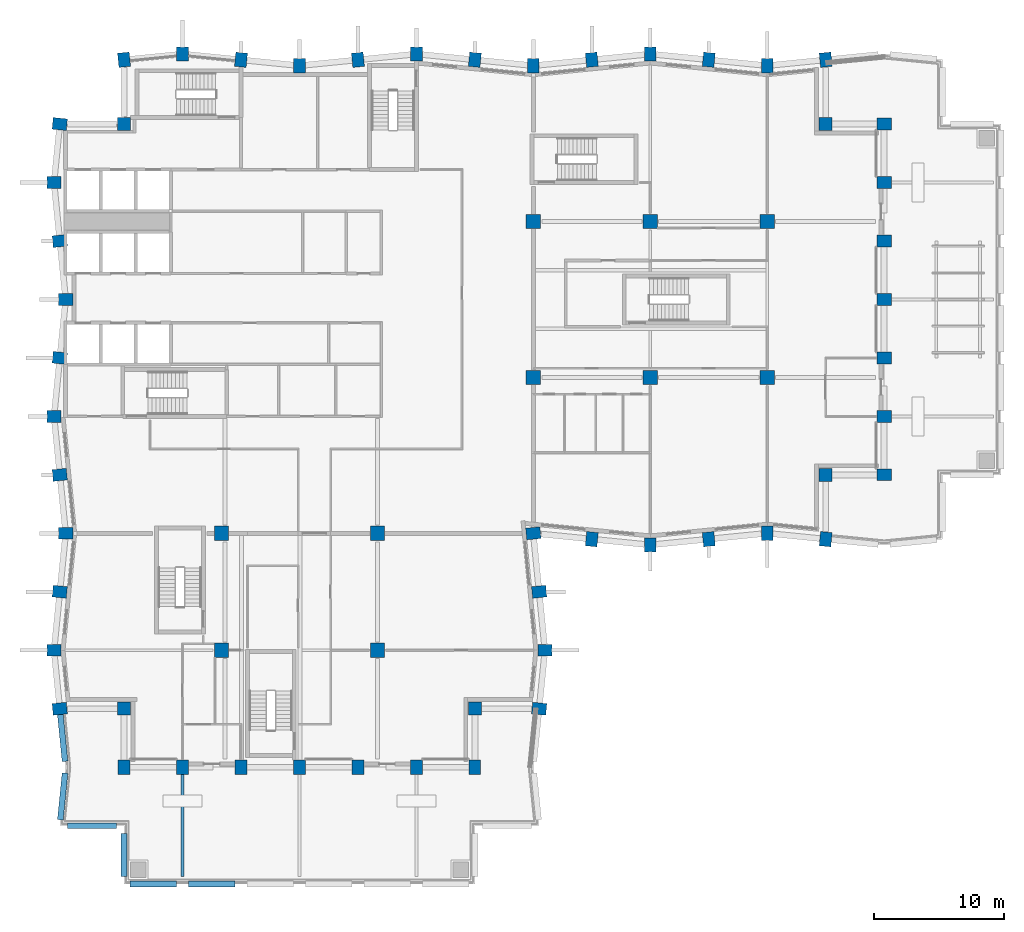
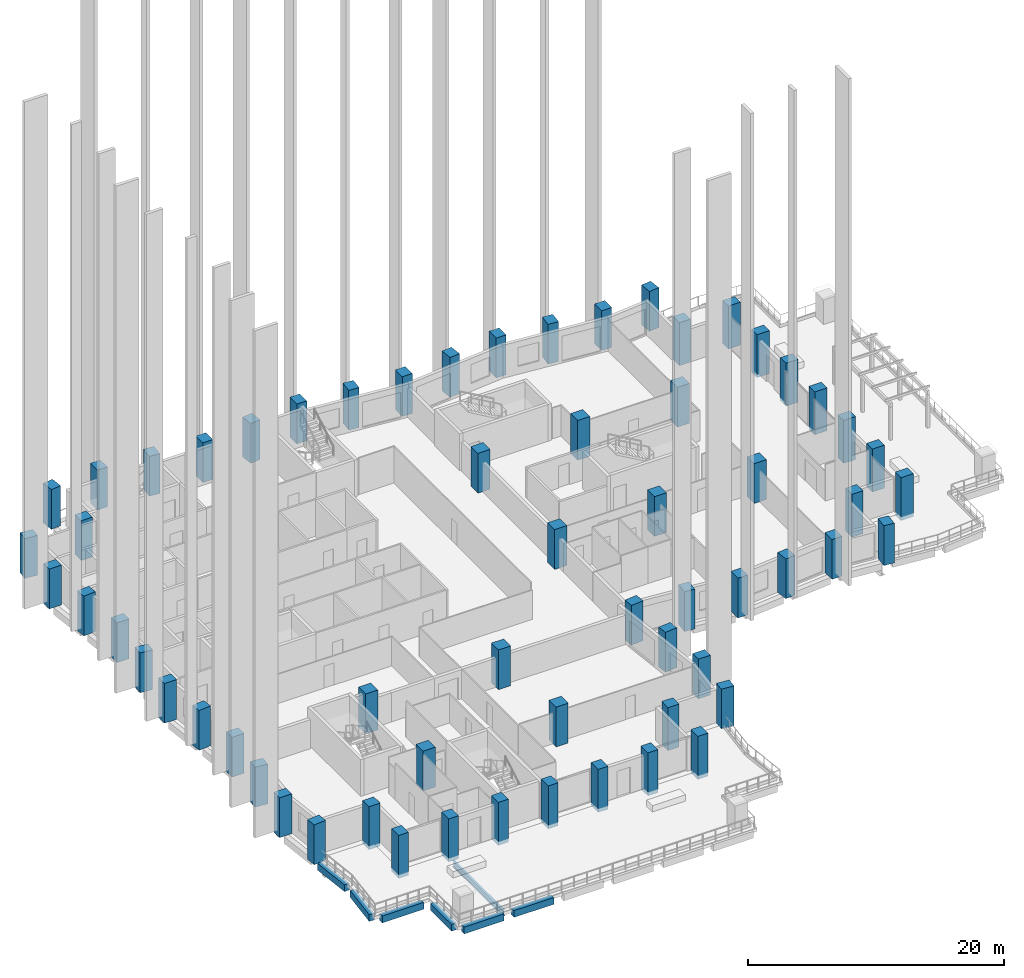
# One storey, part 1 of 18: 62 columns, 7 beams.
"""IFC4 building model written with IfcOpenShell, lengths in metres."""

import ifcopenshell
import ifcopenshell.guid

model = None  # the IFC model being written
_history = None  # IfcOwnerHistory: only IFC2X3 demands one
_inside = {}  # id of a spatial element -> (the spatial element, [elements in it])
_under = {}  # id of a project, library or spatial element -> (it, [spatial elements below it])
_declared = {}  # id of a project -> (the project, [libraries it declares])
_typed = {}  # id of a type object -> (the type object, [elements of that type])
_made_of = {}  # id of a material, layer set ... -> (it, [elements and type objects made of it])


def new_model(schema):
    """Start an empty IFC model of exactly this schema.

    Asked for "IFC4X3", IfcOpenShell would pick the latest addendum, in which some entities
    have other attributes; the version numbers below select the first issue.
    IFC2X3 requires an IfcOwnerHistory on every rooted entity: one is made here for all.
    """
    global model, _history
    if schema == "IFC4X3":
        model = ifcopenshell.file(schema_version=(4, 3, 0, 0))
    else:
        model = ifcopenshell.file(schema=schema)
    _inside.clear()
    _under.clear()
    _declared.clear()
    _typed.clear()
    _made_of.clear()
    _history = None
    if model.schema == "IFC2X3":
        org = make("IfcOrganization", Name="unknown")
        user = make(
            "IfcPersonAndOrganization",
            ThePerson=make("IfcPerson", FamilyName="unknown"),
            TheOrganization=org,
        )
        app = make(
            "IfcApplication",
            ApplicationDeveloper=org,
            Version="unknown",
            ApplicationFullName="unknown",
            ApplicationIdentifier="unknown",
        )
        _history = make(
            "IfcOwnerHistory",
            OwningUser=user,
            OwningApplication=app,
            ChangeAction="ADDED",
            CreationDate=0,
        )
    return model


def make(cls, **values):
    """One entity of the class cls with the attributes given. An attribute that is None is left unset."""
    return model.create_entity(
        cls, **{name: value for name, value in values.items() if value is not None}
    )


def rooted(cls, **values):
    """An entity with a GlobalId (a new one), such as an element, a storey or a relation."""
    return make(cls, GlobalId=ifcopenshell.guid.new(), OwnerHistory=_history, **values)


def si_unit(unit_type, name, prefix=None):
    """IfcSIUnit, for example si_unit("LENGTHUNIT", "METRE", prefix="MILLI")."""
    return make("IfcSIUnit", UnitType=unit_type, Prefix=prefix, Name=name)


def assignment(units):
    """IfcUnitAssignment: the units of a project."""
    return None if units is None else make("IfcUnitAssignment", Units=units)


def point(xyz):
    """IfcCartesianPoint."""
    return None if xyz is None else make("IfcCartesianPoint", Coordinates=xyz)


def direction(xyz):
    """IfcDirection."""
    return None if xyz is None else make("IfcDirection", DirectionRatios=xyz)


def frame(location, z_axis=None, x_axis=None):
    """IfcAxis2Placement3D, a coordinate frame: its origin and axes. An axis left out is left unset."""
    return make(
        "IfcAxis2Placement3D",
        Location=point(location),
        Axis=direction(z_axis),
        RefDirection=direction(x_axis),
    )


def frame_2d(location, x_axis=None):
    """IfcAxis2Placement2D, a coordinate frame in the plane: its origin and x axis."""
    return make(
        "IfcAxis2Placement2D", Location=point(location), RefDirection=direction(x_axis)
    )


def origin():
    """The frame at (0, 0, 0) with its axes left unset."""
    return frame((0.0, 0.0, 0.0))


def origin_2d():
    """The frame at (0, 0) in the plane with its x axis left unset."""
    return frame_2d((0.0, 0.0))


def place(relative_to, where):
    """IfcLocalPlacement: puts the frame where relative to a parent placement (None: the world)."""
    return make(
        "IfcLocalPlacement", PlacementRelTo=relative_to, RelativePlacement=where
    )


def context(
    kind, dimensions, precision=None, world=None, true_north=None, identifier=None
):
    """IfcGeometricRepresentationContext, for example the 3D "Model" context."""
    return make(
        "IfcGeometricRepresentationContext",
        ContextIdentifier=identifier,
        ContextType=kind,
        CoordinateSpaceDimension=dimensions,
        Precision=precision,
        WorldCoordinateSystem=world,
        TrueNorth=true_north,
    )


def subcontext(parent, identifier, kind, view, scale=None):
    """IfcGeometricRepresentationSubContext, for example "Body" below "Model"."""
    return make(
        "IfcGeometricRepresentationSubContext",
        ContextIdentifier=identifier,
        ContextType=kind,
        ParentContext=parent,
        TargetScale=scale,
        TargetView=view,
    )


def project(units=None, contexts=None):
    """IfcProject with its units and contexts."""
    return rooted(
        "IfcProject",
        Name="project",
        RepresentationContexts=contexts,
        UnitsInContext=assignment(units),
    )


def spatial(cls, under=None, at=None, **own):
    """A site, building, storey or space (cls), placed at a placement, below another one or the project."""
    s = rooted(cls, ObjectPlacement=at, **own)
    if under is not None:
        _under.setdefault(under.id(), (under, []))[1].append(s)
    return s


def profile(cls, at=None, kind="AREA", **sizes):
    """A parametric profile (cls). Its sizes go by their IFC names, for example OverallWidth=200.0."""
    return make(cls, ProfileType=kind, Position=at, **sizes)


def rectangle(**sizes):
    """IfcRectangleProfileDef."""
    return profile("IfcRectangleProfileDef", **sizes)


def i_section(**sizes):
    """IfcIShapeProfileDef."""
    return profile("IfcIShapeProfileDef", **sizes)


def extrude(swept, where, along, depth):
    """IfcExtrudedAreaSolid: the profile swept, set in the frame where, extruded along a direction by depth."""
    return make(
        "IfcExtrudedAreaSolid",
        SweptArea=swept,
        Position=where,
        ExtrudedDirection=direction(along),
        Depth=depth,
    )


def shape(context_of_items, identifier, shape_type, items):
    """IfcShapeRepresentation: the items that make up one representation, for example the "Body"."""
    return make(
        "IfcShapeRepresentation",
        ContextOfItems=context_of_items,
        RepresentationIdentifier=identifier,
        RepresentationType=shape_type,
        Items=items,
    )


def material(Name=None, Category=None):
    """IfcMaterial."""
    return make("IfcMaterial", Name=Name, Category=Category)


def material_profile(
    of_material, cross_section, Name=None, Category=None, Priority=None
):
    """IfcMaterialProfile: a cross section and its material."""
    return make(
        "IfcMaterialProfile",
        Name=Name,
        Material=of_material,
        Profile=cross_section,
        Priority=Priority,
        Category=Category,
    )


def profile_set(profiles, Name=None, composite=None):
    """IfcMaterialProfileSet."""
    return make(
        "IfcMaterialProfileSet",
        Name=Name,
        MaterialProfiles=profiles,
        CompositeProfile=composite,
    )


def made_of(thing, what):
    """Note that an element or type object is made of a material, layer set ...; save() writes the relation."""
    if what is not None:
        _made_of.setdefault(what.id(), (what, []))[1].append(thing)
    return thing


def type_object(cls, material=None, **own):
    """A type object (cls), such as IfcWallType, which elements share."""
    return made_of(rooted(cls, **own), material)


def element(
    cls,
    number,
    at=None,
    inside=None,
    cuts=None,
    type_object=None,
    material=None,
    context=None,
    identifier="Body",
    shape_type=None,
    held_by="IfcProductDefinitionShape",
    body=None,
    shapes=None,
    **own,
):
    """One element of the class cls, such as IfcWall. Its Tag is "e" and its number.

    at: its placement. inside: the storey or other place that contains it. cuts: it is an
    opening in that element (IfcRelVoidsElement). A single representation is given by context,
    identifier, shape_type and body (its items); several are given by shapes. held_by: the class
    of the entity that holds the representations. save() writes the other relations.
    """
    e = rooted(cls, Tag="e%d" % number, ObjectPlacement=at, **own)
    if body is not None:
        shapes = [shape(context, identifier, shape_type, body)]
    if shapes is not None:
        e.Representation = make(held_by, Representations=shapes)
    if inside is not None:
        _inside.setdefault(inside.id(), (inside, []))[1].append(e)
    if cuts is not None:
        rooted(
            "IfcRelVoidsElement", RelatingBuildingElement=cuts, RelatedOpeningElement=e
        )
    if type_object is not None:
        _typed.setdefault(type_object.id(), (type_object, []))[1].append(e)
    return made_of(e, material)


def aggregate(whole, parts):
    """IfcRelAggregates: a whole, such as a stair, and the parts it consists of."""
    return rooted("IfcRelAggregates", RelatingObject=whole, RelatedObjects=parts)


def save(model, path):
    """Write the relations noted so far, then the file.

    IfcRelAggregates (storeys below a building ...), IfcRelContainedInSpatialStructure (elements
    in a storey), IfcRelDefinesByType, IfcRelAssociatesMaterial and IfcRelDeclares: one each for
    every whole, place, type object, material and project.
    """
    for whole, parts in _under.values():
        aggregate(whole, parts)
    for where, things in _inside.values():
        rooted(
            "IfcRelContainedInSpatialStructure",
            RelatedElements=things,
            RelatingStructure=where,
        )
    for kind, things in _typed.values():
        rooted("IfcRelDefinesByType", RelatedObjects=things, RelatingType=kind)
    for what, things in _made_of.values():
        rooted("IfcRelAssociatesMaterial", RelatedObjects=things, RelatingMaterial=what)
    for by, libraries in _declared.values():
        rooted("IfcRelDeclares", RelatingContext=by, RelatedDefinitions=libraries)
    model.write(path)


model = new_model("IFC4")

# Units and contexts
model_context = context("Model", 3, precision=1e-05, world=origin(), true_north=direction((0.0, 1.0)))
body_context = subcontext(model_context, "Body", "Model", "MODEL_VIEW")
ifc_project = project(units=[si_unit("LENGTHUNIT", "METRE"), si_unit("AREAUNIT", "SQUARE_METRE"), si_unit("VOLUMEUNIT", "CUBIC_METRE"), si_unit("PLANEANGLEUNIT", "RADIAN"), si_unit("MASSUNIT", "GRAM", prefix="KILO")], contexts=[model_context])

# Site, building, storey
site_placement = place(None, origin())
site = spatial("IfcSite", under=ifc_project, at=site_placement, CompositionType="ELEMENT")
building_placement = place(site_placement, origin())
building = spatial("IfcBuilding", under=site, at=building_placement, Name="Brondeck Convention Tower", CompositionType="ELEMENT")
storey_placement = place(building_placement, frame((0.0, 0.0, 143.39990234375)))
storey = spatial("IfcBuildingStorey", under=building, at=storey_placement, Name="L34", CompositionType="ELEMENT", Elevation=143.39990234375)

# Columns
ifc_material_1 = material(Name="Concrete C70/85", Category="concrete")
ifc_material_profile_1 = material_profile(ifc_material_1, rectangle(XDim=1.0, YDim=1.0, at=origin_2d()), Name="Corner column 1000x1000 Concrete C70/85")
ifc_profile_set_1 = profile_set([ifc_material_profile_1], Name="Concrete C70/85")
column_type_1 = type_object("IfcColumnType", Name="Corner column 1000x1000 Concrete C70/85", PredefinedType="COLUMN", material=ifc_profile_set_1)
for number, where, z_axis, x_axis, name in (
    (1, (4.5, 13.5, -0.2998046875), (0.0, 0.0, 1.0), (1.0, 0.0, 0.0), "STR-COL-L34-NC-SWB9"),
    (2, (31.5, 13.5, -0.2998046875), (0.0, 0.0, 1.0), (1.0, 0.0, 0.0), "STR-COL-L34-NC-SEB9"),
    (3, (58.5, 31.5, -0.2998046875), (0.0, 0.0, 1.0), (1.0, 0.0, 0.0), "STR-COL-L34-NC-SEA63"),
    (4, (58.5, 58.5, -0.2998046875), (0.0, 0.0, 1.0), (1.0, 0.0, 0.0), "STR-COL-L34-NC-NEA63"),
):
    element("IfcColumn", number, at=place(storey_placement, frame(where, z_axis=z_axis, x_axis=x_axis)), inside=storey, type_object=column_type_1, Name=name, PredefinedType="COLUMN", context=body_context, shape_type="SweptSolid", body=[
        extrude(rectangle(XDim=1.0, YDim=1.0, at=origin_2d()), origin(), (0.0, 0.0, 1.0), 4.099853515625),
    ])
column_placement = place(storey_placement, frame((4.5, 58.5, 0.0), z_axis=(0.0, 0.0, 1.0), x_axis=(1.0, 0.0, 0.0)))
element("IfcColumn", 5, at=column_placement, inside=storey, type_object=column_type_1, Name="STR-COL-L34-NC-NW", PredefinedType="COLUMN", context=body_context, shape_type="SweptSolid", body=[
    extrude(rectangle(XDim=1.0, YDim=1.0, at=origin_2d()), origin(), (0.0, 0.0, 1.0), 3.800048828125),
])
ifc_material_profile_2 = material_profile(ifc_material_1, rectangle(XDim=1.10009765625, YDim=1.10009765625, at=origin_2d()), Name="Interior column 1100x1100 Concrete C70/85")
ifc_profile_set_2 = profile_set([ifc_material_profile_2], Name="Concrete C70/85")
column_type_2 = type_object("IfcColumnType", Name="Interior column 1100x1100 Concrete C70/85", PredefinedType="COLUMN", material=ifc_profile_set_2)
for number, where, z_axis, x_axis, name in (
    (6, (12.0, 18.0, 0.0), (0.0, 0.0, 1.0), (1.0, 0.0, 0.0), "STR-COL-L34-IC-02"),
    (7, (12.0, 27.0, 0.0), (0.0, 0.0, 1.0), (1.0, 0.0, 0.0), "STR-COL-L34-IC-03"),
    (8, (24.0, 18.0, 0.0), (0.0, 0.0, 1.0), (1.0, 0.0, 0.0), "STR-COL-L34-IC-05"),
    (9, (24.0, 27.0, 0.0), (0.0, 0.0, 1.0), (1.0, 0.0, 0.0), "STR-COL-L34-IC-06"),
    (10, (36.0, 39.0, 0.0), (0.0, 0.0, 1.0), (1.0, 0.0, 0.0), "STR-COL-L34-IC-07"),
    (11, (36.0, 51.0, 0.0), (0.0, 0.0, 1.0), (1.0, 0.0, 0.0), "STR-COL-L34-IC-08"),
    (12, (45.0, 39.0, 0.0), (0.0, 0.0, 1.0), (1.0, 0.0, 0.0), "STR-COL-L34-IC-09"),
    (13, (45.0, 51.0, 0.0), (0.0, 0.0, 1.0), (1.0, 0.0, 0.0), "STR-COL-L34-IC-10"),
    (14, (54.0, 39.0, 0.0), (0.0, 0.0, 1.0), (1.0, 0.0, 0.0), "STR-COL-L34-IC-11"),
    (15, (54.0, 51.0, 0.0), (0.0, 0.0, 1.0), (1.0, 0.0, 0.0), "STR-COL-L34-IC-12"),
):
    element("IfcColumn", number, at=place(storey_placement, frame(where, z_axis=z_axis, x_axis=x_axis)), inside=storey, type_object=column_type_2, Name=name, PredefinedType="COLUMN", context=body_context, shape_type="SweptSolid", body=[
        extrude(rectangle(XDim=1.10009765625, YDim=1.10009765625, at=origin_2d()), origin(), (0.0, 0.0, 1.0), 3.800048828125),
    ])
ifc_material_profile_3 = material_profile(ifc_material_1, rectangle(XDim=0.89990234375, YDim=1.10009765625, at=origin_2d()), Name="Perimeter pier 900x1100 Concrete C70/85")
ifc_profile_set_3 = profile_set([ifc_material_profile_3], Name="Concrete C70/85")
column_type_3 = type_object("IfcColumnType", Name="Perimeter pier 900x1100 Concrete C70/85", PredefinedType="COLUMN", material=ifc_profile_set_3)
for number, where, z_axis, x_axis, name in (
    (16, (4.5, 9.0, -0.2998046875), (0.0, 0.0, 1.0), (1.0, 0.0, 0.0), "STR-COL-L34-PC-B-S9-01"),
    (17, (9.0, 9.0, -0.2998046875), (0.0, 0.0, 1.0), (1.0, 0.0, 0.0), "STR-COL-L34-PC-B-S9-02"),
    (18, (13.5, 9.0, -0.2998046875), (0.0, 0.0, 1.0), (1.0, 0.0, 0.0), "STR-COL-L34-PC-B-S9-03"),
    (19, (18.0, 9.0, -0.2998046875), (0.0, 0.0, 1.0), (1.0, 0.0, 0.0), "STR-COL-L34-PC-B-S9-04"),
    (20, (22.5, 9.0, -0.2998046875), (0.0, 0.0, 1.0), (1.0, 0.0, 0.0), "STR-COL-L34-PC-B-S9-05"),
    (21, (27.0, 9.0, -0.2998046875), (0.0, 0.0, 1.0), (1.0, 0.0, 0.0), "STR-COL-L34-PC-B-S9-06"),
    (22, (31.5, 9.0, -0.2998046875), (0.0, 0.0, 1.0), (1.0, 0.0, 0.0), "STR-COL-L34-PC-B-S9-07"),
):
    element("IfcColumn", number, at=place(storey_placement, frame(where, z_axis=z_axis, x_axis=x_axis)), inside=storey, type_object=column_type_3, Name=name, PredefinedType="COLUMN", context=body_context, shape_type="SweptSolid", body=[
        extrude(rectangle(XDim=0.89990234375, YDim=1.10009765625, at=origin_2d()), origin(), (0.0, 0.0, 1.0), 4.099853515625),
    ])
for number, where, z_axis, x_axis, name in (
    (23, (36.449951171875, 13.5, 0.0), (0.0, 0.0, 1.0), (0.0995038382, 0.995037178292, 0.0), "STR-COL-L34-PC-B-E-03"),
    (24, (36.89990234375, 18.0, 0.0), (0.0, 0.0, 1.0), (0.0, 1.0, 0.0), "STR-COL-L34-PC-B-E-02"),
    (25, (36.449951171875, 22.5, 0.0), (0.0, 0.0, 1.0), (-0.0995038382, 0.995037178292, 0.0), "STR-COL-L34-PC-B-E-01"),
    (26, (36.0, 27.0, 0.0), (0.0, 0.0, 1.0), (-0.0995038382, 0.995037178292, 0.0), "STR-COL-L34-PC-B-E-00"),
    (27, (40.5, 26.550048828125, 0.0), (0.0, 0.0, 1.0), (0.995037178292, -0.0995038382, 0.0), "STR-COL-L34-PC-A-S-01"),
    (28, (45.0, 26.10009765625, 0.0), (0.0, 0.0, 1.0), (1.0, 0.0, 0.0), "STR-COL-L34-PC-A-S-02"),
    (29, (49.5, 26.550048828125, 0.0), (0.0, 0.0, 1.0), (0.995037178292, 0.0995038382, 0.0), "STR-COL-L34-PC-A-S-03"),
    (30, (54.0, 27.0, 0.0), (0.0, 0.0, 1.0), (1.0, 0.0, 0.0), "STR-COL-L34-PC-A-S-04"),
    (31, (58.5, 26.550048828125, 0.0), (0.0, 0.0, 1.0), (0.995037178292, -0.0995038382, 0.0), "STR-COL-L34-PC-A-S-05"),
):
    element("IfcColumn", number, at=place(storey_placement, frame(where, z_axis=z_axis, x_axis=x_axis)), inside=storey, type_object=column_type_3, Name=name, PredefinedType="COLUMN", context=body_context, shape_type="SweptSolid", body=[
        extrude(rectangle(XDim=0.89990234375, YDim=1.10009765625, at=origin_2d()), origin(), (0.0, 0.0, 1.0), 3.800048828125),
    ])
for number, where, z_axis, x_axis, name in (
    (32, (63.0, 31.5, -0.2998046875), (0.0, 0.0, 1.0), (0.0, 1.0, 0.0), "STR-COL-L34-PC-A-E63-01"),
    (33, (63.0, 36.0, -0.2998046875), (0.0, 0.0, 1.0), (0.0, 1.0, 0.0), "STR-COL-L34-PC-A-E63-02"),
    (34, (63.0, 40.5, -0.2998046875), (0.0, 0.0, 1.0), (0.0, 1.0, 0.0), "STR-COL-L34-PC-A-E63-03"),
    (35, (63.0, 45.0, -0.2998046875), (0.0, 0.0, 1.0), (0.0, 1.0, 0.0), "STR-COL-L34-PC-A-E63-04"),
    (36, (63.0, 49.5, -0.2998046875), (0.0, 0.0, 1.0), (0.0, 1.0, 0.0), "STR-COL-L34-PC-A-E63-05"),
    (37, (63.0, 54.0, -0.2998046875), (0.0, 0.0, 1.0), (0.0, 1.0, 0.0), "STR-COL-L34-PC-A-E63-06"),
    (38, (63.0, 58.5, -0.2998046875), (0.0, 0.0, 1.0), (0.0, 1.0, 0.0), "STR-COL-L34-PC-A-E63-07"),
):
    element("IfcColumn", number, at=place(storey_placement, frame(where, z_axis=z_axis, x_axis=x_axis)), inside=storey, type_object=column_type_3, Name=name, PredefinedType="COLUMN", context=body_context, shape_type="SweptSolid", body=[
        extrude(rectangle(XDim=0.89990234375, YDim=1.10009765625, at=origin_2d()), origin(), (0.0, 0.0, 1.0), 4.099853515625),
    ])
for number, where, z_axis, x_axis, name in (
    (39, (58.5, 63.449951171875, 0.0), (0.0, 0.0, 1.0), (-0.995037178292, -0.0995038382, 0.0), "STR-COL-L34-PC-A-N-13"),
    (40, (54.0, 63.0, 0.0), (0.0, 0.0, 1.0), (-1.0, 0.0, 0.0), "STR-COL-L34-PC-A-N-12"),
    (41, (49.5, 63.449951171875, 0.0), (0.0, 0.0, 1.0), (-0.995037178292, 0.0995038382, 0.0), "STR-COL-L34-PC-A-N-11"),
    (42, (45.0, 63.89990234375, 0.0), (0.0, 0.0, 1.0), (-1.0, 0.0, 0.0), "STR-COL-L34-PC-A-N-10"),
    (43, (40.5, 63.449951171875, 0.0), (0.0, 0.0, 1.0), (-0.995037178292, -0.0995038382, 0.0), "STR-COL-L34-PC-A-N-09"),
    (44, (36.0, 63.0, 0.0), (0.0, 0.0, 1.0), (-1.0, 0.0, 0.0), "STR-COL-L34-PC-A-N-08"),
    (45, (31.5, 63.449951171875, 0.0), (0.0, 0.0, 1.0), (-0.995037178292, 0.0995038382, 0.0), "STR-COL-L34-PC-A-N-07"),
    (46, (27.0, 63.89990234375, 0.0), (0.0, 0.0, 1.0), (-1.0, 0.0, 0.0), "STR-COL-L34-PC-A-N-06"),
    (47, (22.5, 63.449951171875, 0.0), (0.0, 0.0, 1.0), (-0.995037178292, -0.0995038382, 0.0), "STR-COL-L34-PC-A-N-05"),
    (48, (18.0, 63.0, 0.0), (0.0, 0.0, 1.0), (-1.0, 0.0, 0.0), "STR-COL-L34-PC-A-N-04"),
    (49, (13.5, 63.449951171875, 0.0), (0.0, 0.0, 1.0), (-0.995037178292, 0.0995038382, 0.0), "STR-COL-L34-PC-A-N-03"),
    (50, (9.0, 63.89990234375, 0.0), (0.0, 0.0, 1.0), (-1.0, 0.0, 0.0), "STR-COL-L34-PC-A-N-02"),
    (51, (4.5, 63.449951171875, 0.0), (0.0, 0.0, 1.0), (-0.995037178292, -0.0995038382, 0.0), "STR-COL-L34-PC-A-N-01"),
    (52, (-0.449951171875, 58.5, 0.0), (0.0, 0.0, 1.0), (-0.0995038382, -0.995037178292, 0.0), "STR-COL-L34-PC-B-W-01"),
    (53, (-0.89990234375, 54.0, 0.0), (0.0, 0.0, 1.0), (0.0, -1.0, 0.0), "STR-COL-L34-PC-B-W-02"),
    (54, (-0.449951171875, 49.5, 0.0), (0.0, 0.0, 1.0), (0.0995038382, -0.995037178292, 0.0), "STR-COL-L34-PC-B-W-03"),
    (55, (0.0, 45.0, 0.0), (0.0, 0.0, 1.0), (0.0, -1.0, 0.0), "STR-COL-L34-PC-B-W-04"),
    (56, (-0.449951171875, 40.5, 0.0), (0.0, 0.0, 1.0), (-0.0995038382, -0.995037178292, 0.0), "STR-COL-L34-PC-B-W-05"),
    (57, (-0.89990234375, 36.0, 0.0), (0.0, 0.0, 1.0), (0.0, -1.0, 0.0), "STR-COL-L34-PC-B-W-06"),
    (58, (-0.449951171875, 31.5, 0.0), (0.0, 0.0, 1.0), (0.0995038382, -0.995037178292, 0.0), "STR-COL-L34-PC-B-W-07"),
    (59, (0.0, 27.0, 0.0), (0.0, 0.0, 1.0), (0.0, -1.0, 0.0), "STR-COL-L34-PC-B-W-08"),
    (60, (-0.449951171875, 22.5, 0.0), (0.0, 0.0, 1.0), (-0.0995038382, -0.995037178292, 0.0), "STR-COL-L34-PC-B-W-09"),
    (61, (-0.89990234375, 18.0, 0.0), (0.0, 0.0, 1.0), (0.0, -1.0, 0.0), "STR-COL-L34-PC-B-W-10"),
    (62, (-0.449951171875, 13.5, 0.0), (0.0, 0.0, 1.0), (0.0995038382, -0.995037178292, 0.0), "STR-COL-L34-PC-B-W-11"),
):
    element("IfcColumn", number, at=place(storey_placement, frame(where, z_axis=z_axis, x_axis=x_axis)), inside=storey, type_object=column_type_3, Name=name, PredefinedType="COLUMN", context=body_context, shape_type="SweptSolid", body=[
        extrude(rectangle(XDim=0.89990234375, YDim=1.10009765625, at=origin_2d()), origin(), (0.0, 0.0, 1.0), 3.800048828125),
    ])

# Beams
ifc_material_2 = material(Name="Steel S355", Category="steel")
ifc_material_profile_4 = material_profile(ifc_material_2, i_section(OverallWidth=0.2099609375, OverallDepth=0.550048828125, WebThickness=0.010986328125, FlangeThickness=0.01708984375, FilletRadius=0.02392578125, at=origin_2d()), Name="IPE 550")
ifc_profile_set_4 = profile_set([ifc_material_profile_4], Name="Steel S355")
beam_type_1 = type_object("IfcBeamType", Name="Floor beam IPE 550", PredefinedType="BEAM", material=ifc_profile_set_4)
beam_1_placement = place(storey_placement, frame((9.0, 0.60009765625, -0.574951171875), z_axis=(0.0, 1.0, 0.0), x_axis=(-1.0, 0.0, 0.0)))
element("IfcBeam", 63, at=beam_1_placement, inside=storey, type_object=beam_type_1, Name="STR-FB-L34T1-001", PredefinedType="BEAM", context=body_context, shape_type="SweptSolid", body=[
    extrude(i_section(OverallWidth=0.2099609375, OverallDepth=0.550048828125, WebThickness=0.010986328125, FlangeThickness=0.01708984375, FilletRadius=0.02392578125, at=origin_2d()), origin(), (0.0, 0.0, 1.0), 7.849853515625),
])
ifc_material_profile_5 = material_profile(ifc_material_1, rectangle(XDim=0.449951171875, YDim=0.64990234375, at=origin_2d()), Name="Precast spandrel 450x650 Concrete C70/85")
ifc_profile_set_5 = profile_set([ifc_material_profile_5], Name="Concrete C70/85")
beam_type_2 = type_object("IfcBeamType", Name="Precast spandrel 450x650 Concrete C70/85", PredefinedType="SPANDREL", material=ifc_profile_set_5)
for number, where, z_axis, x_axis, name in (
    (64, (13.050048828125, 0.0, -0.324951171875), (-1.0, 0.0, 0.0), (0.0, -1.0, 0.0), "STR-SP-L34T1-008"),
    (65, (8.550048828125, 0.0, -0.324951171875), (-1.0, 0.0, 0.0), (0.0, -1.0, 0.0), "STR-SP-L34T1-009"),
):
    element("IfcBeam", number, at=place(storey_placement, frame(where, z_axis=z_axis, x_axis=x_axis)), inside=storey, type_object=beam_type_2, Name=name, PredefinedType="SPANDREL", context=body_context, shape_type="SweptSolid", body=[
        extrude(rectangle(XDim=0.449951171875, YDim=0.64990234375, at=origin_2d()), origin(), (0.0, 0.0, 1.0), 3.60009765625),
    ])
beam_2_placement = place(storey_placement, frame((4.5, 0.60009765625, -0.324951171875), z_axis=(0.0, 1.0, 0.0), x_axis=(-1.0, 0.0, 0.0)))
element("IfcBeam", 66, at=beam_2_placement, inside=storey, type_object=beam_type_2, Name="STR-SP-L34T1-010", PredefinedType="SPANDREL", context=body_context, shape_type="SweptSolid", body=[
    extrude(rectangle(XDim=0.449951171875, YDim=0.64990234375, at=origin_2d()), origin(), (0.0, 0.0, 1.0), 3.2998046875),
])
beam_3_placement = place(storey_placement, frame((3.89990234375, 4.5, -0.324951171875), z_axis=(-1.0, 0.0, 0.0), x_axis=(0.0, -1.0, 0.0)))
element("IfcBeam", 67, at=beam_3_placement, inside=storey, type_object=beam_type_2, Name="STR-SP-L34T1-011", PredefinedType="SPANDREL", context=body_context, shape_type="SweptSolid", body=[
    extrude(rectangle(XDim=0.449951171875, YDim=0.64990234375, at=origin_2d()), origin(), (0.0, 0.0, 1.0), 3.746826171875),
])
for number, where, z_axis, x_axis, name in (
    (68, (-0.4052734375, 4.94775390625, -0.324951171875), (0.099537103649, 0.995033851182, 0.0), (-0.995033851182, 0.099537103649, 0.0), "STR-SP-L34T1-012"),
    (69, (-0.044921875, 9.449951171875, -0.324951171875), (-0.099537103649, 0.995033851182, 0.0), (-0.995033851182, -0.099537103649, 0.0), "STR-SP-L34T1-013"),
):
    element("IfcBeam", number, at=place(storey_placement, frame(where, z_axis=z_axis, x_axis=x_axis)), inside=storey, type_object=beam_type_2, Name=name, PredefinedType="SPANDREL", context=body_context, shape_type="SweptSolid", body=[
        extrude(rectangle(XDim=0.449951171875, YDim=0.64990234375, at=origin_2d()), origin(), (0.0, 0.0, 1.0), 3.620361328125),
    ])

save(model, "model.ifc")
